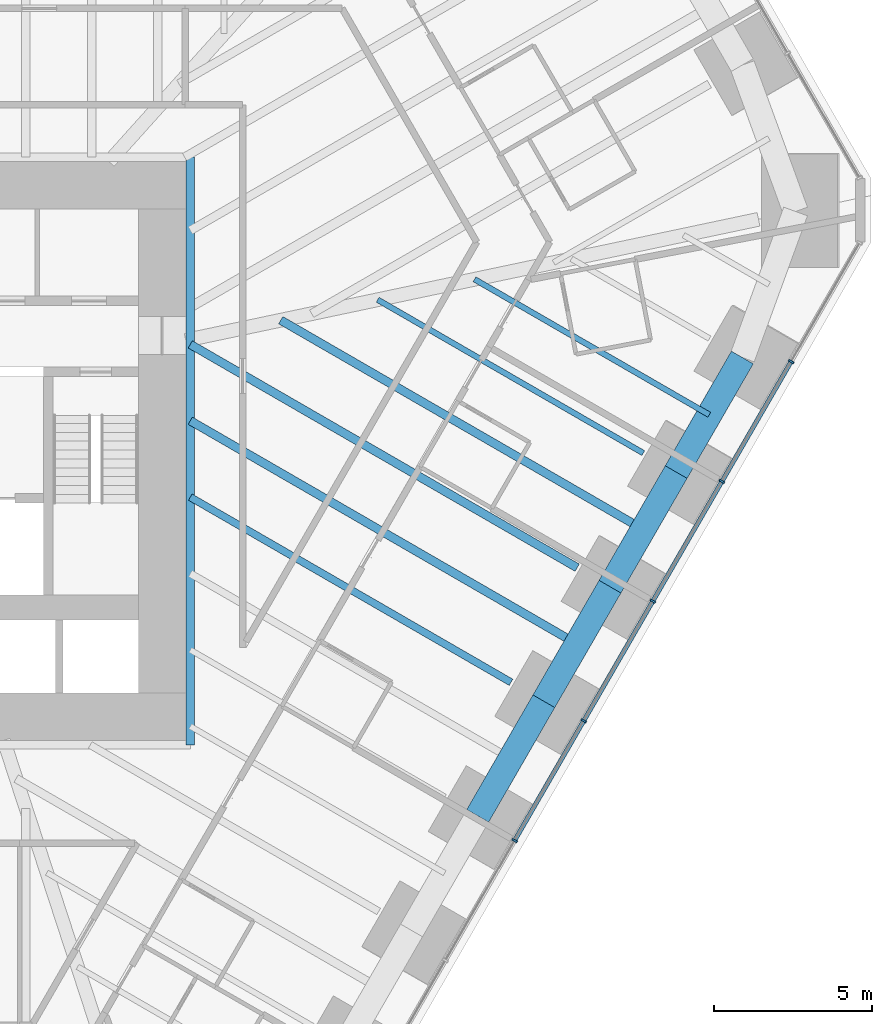
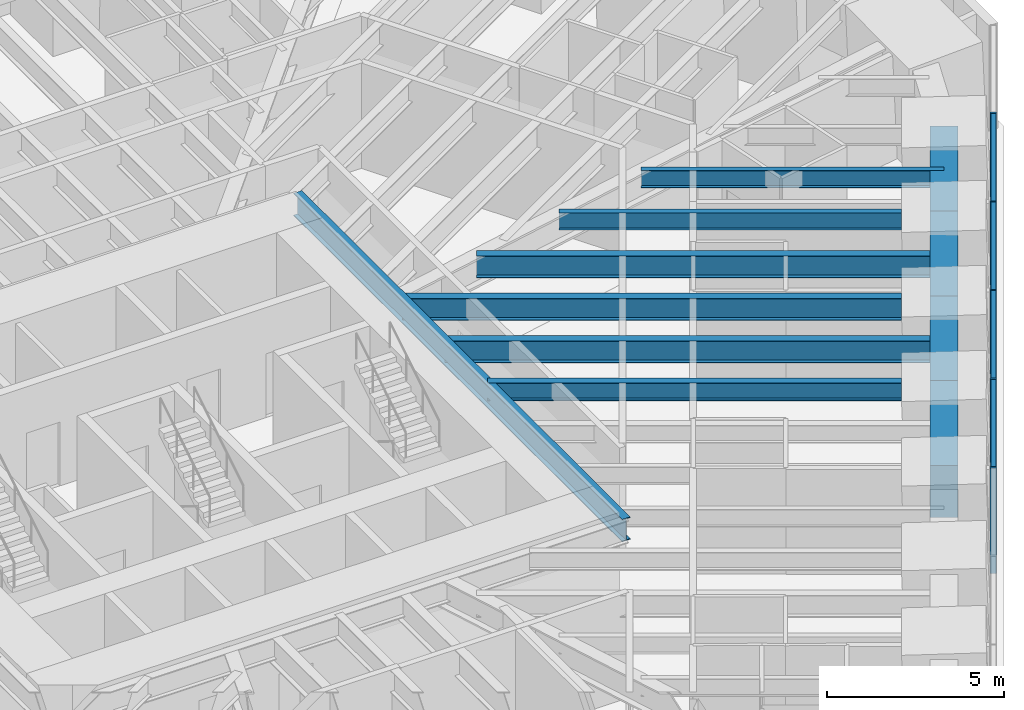
# One storey, part 6 of 17: 11 beams, 9 members, 1 element without a shape of its own.
"""IFC4 building model written with IfcOpenShell, lengths in metres."""

from ifc_helpers import new_model, si_unit, direction, frame, origin, origin_2d, place, context, subcontext, project, spatial, rectangle, i_section, extrude, material, material_profile, profile_set, type_object, element, aggregate, save


model = new_model("IFC4")

# Units and contexts
model_context = context("Model", 3, precision=1e-05, world=origin(), true_north=direction((0.0, 1.0)))
body_context = subcontext(model_context, "Body", "Model", "MODEL_VIEW")
ifc_project = project(units=[si_unit("LENGTHUNIT", "METRE"), si_unit("AREAUNIT", "SQUARE_METRE"), si_unit("VOLUMEUNIT", "CUBIC_METRE"), si_unit("PLANEANGLEUNIT", "RADIAN"), si_unit("MASSUNIT", "GRAM", prefix="KILO")], contexts=[model_context])

# Site, building, storey
site_placement = place(None, origin())
site = spatial("IfcSite", under=ifc_project, at=site_placement, CompositionType="ELEMENT")
building_placement = place(site_placement, origin())
building = spatial("IfcBuilding", under=site, at=building_placement, Name="Sandreach Pilgrim Tower", CompositionType="ELEMENT")
storey_placement = place(building_placement, frame((0.0, 0.0, 57.199951171875)))
storey = spatial("IfcBuildingStorey", under=building, at=storey_placement, Name="L13", CompositionType="ELEMENT", Elevation=57.199951171875)

# Curtain wall, members
ifc_material_1 = material(Name="Aluminium framed curtain wall", Category="aluminium")
curtain_wall_type = type_object("IfcCurtainWallType", Name="Hostel tower curtain wall", PredefinedType="NOTDEFINED", material=ifc_material_1)
curtain_wall_placement = place(storey_placement, origin())
curtain_wall = element("IfcCurtainWall", 1, at=curtain_wall_placement, inside=storey, type_object=curtain_wall_type, Name="CW-1 L13 SE", PredefinedType="NOTDEFINED")
ifc_material_2 = material(Name="Aluminium extrusion", Category="aluminium")
ifc_material_profile_1 = material_profile(ifc_material_2, rectangle(XDim=0.06494140625, YDim=0.179931640625, at=origin_2d()), Name="CW-1M 65X180")
ifc_profile_set_1 = profile_set([ifc_material_profile_1], Name="Aluminium extrusion")
member_type_1 = type_object("IfcMemberType", Name="CW-1 mullion", PredefinedType="MULLION", material=ifc_profile_set_1)
member_1_placement = place(storey_placement, frame((28.390380859375, 1.2763671875, 0.0), z_axis=(0.0, 0.0, 1.0), x_axis=(-0.5, -0.866025403784, 0.0)))
member_1 = element("IfcMember", 2, at=member_1_placement, type_object=member_type_1, Name="CW-1 mullion 2", PredefinedType="MULLION", context=body_context, shape_type="SweptSolid", body=[
    extrude(rectangle(XDim=0.06494140625, YDim=0.179931640625, at=origin_2d()), origin(), (0.0, 0.0, 1.0), 3.64013671875),
])
member_2_placement = place(storey_placement, frame((26.20458984375, -2.509521484375, 0.0), z_axis=(0.0, 0.0, 1.0), x_axis=(-0.5, -0.866025403784, 0.0)))
member_2 = element("IfcMember", 3, at=member_2_placement, type_object=member_type_1, Name="CW-1 mullion 3", PredefinedType="MULLION", context=body_context, shape_type="SweptSolid", body=[
    extrude(rectangle(XDim=0.06494140625, YDim=0.179931640625, at=origin_2d()), origin(), (0.0, 0.0, 1.0), 3.64013671875),
])
member_3_placement = place(storey_placement, frame((24.018798828125, -6.29541015625, 0.0), z_axis=(0.0, 0.0, 1.0), x_axis=(-0.5, -0.866025403784, 0.0)))
member_3 = element("IfcMember", 4, at=member_3_placement, type_object=member_type_1, Name="CW-1 mullion 4", PredefinedType="MULLION", context=body_context, shape_type="SweptSolid", body=[
    extrude(rectangle(XDim=0.06494140625, YDim=0.179931640625, at=origin_2d()), origin(), (0.0, 0.0, 1.0), 3.64013671875),
])
member_4_placement = place(storey_placement, frame((21.8330078125, -10.081298828125, 0.0), z_axis=(0.0, 0.0, 1.0), x_axis=(-0.5, -0.866025403784, 0.0)))
member_4 = element("IfcMember", 5, at=member_4_placement, type_object=member_type_1, Name="CW-1 mullion 5", PredefinedType="MULLION", context=body_context, shape_type="SweptSolid", body=[
    extrude(rectangle(XDim=0.06494140625, YDim=0.179931640625, at=origin_2d()), origin(), (0.0, 0.0, 1.0), 3.64013671875),
])
member_5_placement = place(storey_placement, frame((19.647216796875, -13.8671875, 0.0), z_axis=(0.0, 0.0, 1.0), x_axis=(-0.5, -0.866025403784, 0.0)))
member_5 = element("IfcMember", 6, at=member_5_placement, type_object=member_type_1, Name="CW-1 mullion 6", PredefinedType="MULLION", context=body_context, shape_type="SweptSolid", body=[
    extrude(rectangle(XDim=0.06494140625, YDim=0.179931640625, at=origin_2d()), origin(), (0.0, 0.0, 1.0), 3.64013671875),
])
ifc_material_3 = material(Name="Aluminium extrusion", Category="aluminium")
ifc_material_profile_2 = material_profile(ifc_material_3, rectangle(XDim=0.139892578125, YDim=0.070068359375, at=origin_2d()), Name="CW-1T 140X70")
ifc_profile_set_2 = profile_set([ifc_material_profile_2], Name="Aluminium extrusion")
member_type_2 = type_object("IfcMemberType", Name="CW-1 transom", PredefinedType="USERDEFINED", material=ifc_profile_set_2)
member_6_placement = place(storey_placement, frame((28.374267578125, 1.248046875, 3.60498046875), z_axis=(-0.500016891966, -0.866015650984, 0.0), x_axis=(0.866015650984, -0.500016891966, 0.0)))
member_6 = element("IfcMember", 7, at=member_6_placement, type_object=member_type_2, Name="CW-1 head transom 2", ObjectType="TRANSOM", PredefinedType="USERDEFINED", context=body_context, shape_type="SweptSolid", body=[
    extrude(rectangle(XDim=0.139892578125, YDim=0.070068359375, at=origin_2d()), origin(), (0.0, 0.0, 1.0), 4.306396484375),
])
member_7_placement = place(storey_placement, frame((26.1884765625, -2.537841796875, 3.60498046875), z_axis=(-0.500016891966, -0.866015650984, 0.0), x_axis=(0.866015650984, -0.500016891966, 0.0)))
member_7 = element("IfcMember", 8, at=member_7_placement, type_object=member_type_2, Name="CW-1 head transom 3", ObjectType="TRANSOM", PredefinedType="USERDEFINED", context=body_context, shape_type="SweptSolid", body=[
    extrude(rectangle(XDim=0.139892578125, YDim=0.070068359375, at=origin_2d()), origin(), (0.0, 0.0, 1.0), 4.306396484375),
])
member_8_placement = place(storey_placement, frame((24.002685546875, -6.32373046875, 3.60498046875), z_axis=(-0.500016891966, -0.866015650984, 0.0), x_axis=(0.866015650984, -0.500016891966, 0.0)))
member_8 = element("IfcMember", 9, at=member_8_placement, type_object=member_type_2, Name="CW-1 head transom 4", ObjectType="TRANSOM", PredefinedType="USERDEFINED", context=body_context, shape_type="SweptSolid", body=[
    extrude(rectangle(XDim=0.139892578125, YDim=0.070068359375, at=origin_2d()), origin(), (0.0, 0.0, 1.0), 4.306396484375),
])
member_9_placement = place(storey_placement, frame((21.81689453125, -10.109619140625, 3.60498046875), z_axis=(-0.500016891966, -0.866015650984, 0.0), x_axis=(0.866015650984, -0.500016891966, 0.0)))
member_9 = element("IfcMember", 10, at=member_9_placement, type_object=member_type_2, Name="CW-1 head transom 5", ObjectType="TRANSOM", PredefinedType="USERDEFINED", context=body_context, shape_type="SweptSolid", body=[
    extrude(rectangle(XDim=0.139892578125, YDim=0.070068359375, at=origin_2d()), origin(), (0.0, 0.0, 1.0), 4.306396484375),
])
aggregate(curtain_wall, [member_1, member_2, member_3, member_4, member_5, member_6, member_7, member_8, member_9])

# Beams
ifc_material_4 = material(Name="Steel ASTM A992 Grade 50", Category="steel")
ifc_material_profile_3 = material_profile(ifc_material_4, i_section(OverallWidth=0.2666015625, OverallDepth=0.77978515625, WebThickness=0.0166015625, FlangeThickness=0.030029296875, at=origin_2d()), Name="W30X148")
ifc_profile_set_3 = profile_set([ifc_material_profile_3], Name="Steel ASTM A992 Grade 50")
beam_type_1 = type_object("IfcBeamType", Name="Core edge beam W30X148", PredefinedType="BEAM", material=ifc_profile_set_3)
beam_1_placement = place(storey_placement, frame((9.393310546875, 7.743408203125, 3.250244140625), z_axis=(0.0, -1.0, 0.0), x_axis=(1.0, 0.0, 0.0)))
element("IfcBeam", 11, at=beam_1_placement, inside=storey, type_object=beam_type_1, Name="BM L13 CEE", PredefinedType="BEAM", context=body_context, shape_type="SweptSolid", body=[
    extrude(i_section(OverallWidth=0.2666015625, OverallDepth=0.77978515625, WebThickness=0.0166015625, FlangeThickness=0.030029296875, at=origin_2d()), origin(), (0.0, 0.0, 1.0), 18.586669921875),
])
ifc_material_5 = material(Name="Steel ASTM A992 Grade 50", Category="steel")
ifc_material_profile_4 = material_profile(ifc_material_5, i_section(OverallWidth=0.1787109375, OverallDepth=0.60205078125, WebThickness=0.010986328125, FlangeThickness=0.014892578125, at=origin_2d()), Name="W24X62")
ifc_profile_set_4 = profile_set([ifc_material_profile_4], Name="Steel ASTM A992 Grade 50")
beam_type_2 = type_object("IfcBeamType", Name="Floor beam W24X62", PredefinedType="BEAM", material=ifc_profile_set_4)
beam_2_placement = place(storey_placement, frame((23.718994140625, -1.615966796875, 3.339111328125), z_axis=(-0.866025898704, 0.499999142773, 0.0), x_axis=(-0.499999142773, -0.866025898704, 0.0)))
element("IfcBeam", 12, at=beam_2_placement, inside=storey, type_object=beam_type_2, Name="BM L13 F15", PredefinedType="BEAM", context=body_context, shape_type="SweptSolid", body=[
    extrude(i_section(OverallWidth=0.1787109375, OverallDepth=0.60205078125, WebThickness=0.010986328125, FlangeThickness=0.014892578125, at=origin_2d()), origin(), (0.0, 0.0, 1.0), 9.7001953125),
])
beam_3_placement = place(storey_placement, frame((25.80419921875, -0.404052734375, 3.339111328125), z_axis=(-0.866032840154, 0.49998711961, 0.0), x_axis=(-0.49998711961, -0.866032840154, 0.0)))
element("IfcBeam", 13, at=beam_3_placement, inside=storey, type_object=beam_type_2, Name="BM L13 FM14", PredefinedType="BEAM", context=body_context, shape_type="SweptSolid", body=[
    extrude(i_section(OverallWidth=0.1787109375, OverallDepth=0.60205078125, WebThickness=0.010986328125, FlangeThickness=0.014892578125, at=origin_2d()), origin(), (0.0, 0.0, 1.0), 8.570556640625),
])
ifc_material_6 = material(Name="Steel ASTM A992 Grade 50", Category="steel")
ifc_material_profile_5 = material_profile(ifc_material_6, i_section(OverallWidth=0.23046875, OverallDepth=0.6171875, WebThickness=0.01318359375, FlangeThickness=0.022216796875, at=origin_2d()), Name="W24X94")
ifc_profile_set_5 = profile_set([ifc_material_profile_5], Name="Steel ASTM A992 Grade 50")
beam_type_3 = type_object("IfcBeamType", Name="Floor beam W24X94", PredefinedType="BEAM", material=ifc_profile_set_5)
beam_4_placement = place(storey_placement, frame((19.534912109375, -8.86279296875, 3.33154296875), z_axis=(-0.866026578996, 0.499997964469, 0.0), x_axis=(-0.499997964469, -0.866026578996, 0.0)))
element("IfcBeam", 14, at=beam_4_placement, inside=storey, type_object=beam_type_3, Name="BM L13 F17", PredefinedType="BEAM", context=body_context, shape_type="SweptSolid", body=[
    extrude(i_section(OverallWidth=0.23046875, OverallDepth=0.6171875, WebThickness=0.01318359375, FlangeThickness=0.022216796875, at=origin_2d()), origin(), (0.0, 0.0, 1.0), 11.71044921875),
])
ifc_material_7 = material(Name="Steel ASTM A992 Grade 50", Category="steel")
ifc_material_profile_6 = material_profile(ifc_material_7, i_section(OverallWidth=0.2666015625, OverallDepth=0.761962890625, WebThickness=0.014404296875, FlangeThickness=0.021484375, at=origin_2d()), Name="W30X116")
ifc_profile_set_6 = profile_set([ifc_material_profile_6], Name="Steel ASTM A992 Grade 50")
beam_type_4 = type_object("IfcBeamType", Name="Floor beam W30X116", PredefinedType="BEAM", material=ifc_profile_set_6)
beam_5_placement = place(storey_placement, frame((21.626953125, -5.2392578125, 3.259033203125), z_axis=(-0.866028731315, 0.499994236503, 0.0), x_axis=(-0.499994236503, -0.866028731315, 0.0)))
element("IfcBeam", 15, at=beam_5_placement, inside=storey, type_object=beam_type_4, Name="BM L13 F16", PredefinedType="BEAM", context=body_context, shape_type="SweptSolid", body=[
    extrude(i_section(OverallWidth=0.2666015625, OverallDepth=0.761962890625, WebThickness=0.014404296875, FlangeThickness=0.021484375, at=origin_2d()), origin(), (0.0, 0.0, 1.0), 14.126220703125),
])
beam_6_placement = place(storey_placement, frame((23.712158203125, -4.027587890625, 3.259033203125), z_axis=(-0.866025788398, 0.49999933383, 0.0), x_axis=(-0.49999933383, -0.866025788398, 0.0)))
element("IfcBeam", 16, at=beam_6_placement, inside=storey, type_object=beam_type_4, Name="BM L13 FM15", PredefinedType="BEAM", context=body_context, shape_type="SweptSolid", body=[
    extrude(i_section(OverallWidth=0.2666015625, OverallDepth=0.761962890625, WebThickness=0.014404296875, FlangeThickness=0.021484375, at=origin_2d()), origin(), (0.0, 0.0, 1.0), 13.22998046875),
])
beam_7_placement = place(storey_placement, frame((21.6201171875, -7.651123046875, 3.259033203125), z_axis=(-0.866027491634, 0.499996383721, 0.0), x_axis=(-0.499996383721, -0.866027491634, 0.0)))
element("IfcBeam", 17, at=beam_7_placement, inside=storey, type_object=beam_type_4, Name="BM L13 FM16", PredefinedType="BEAM", context=body_context, shape_type="SweptSolid", body=[
    extrude(i_section(OverallWidth=0.2666015625, OverallDepth=0.761962890625, WebThickness=0.014404296875, FlangeThickness=0.021484375, at=origin_2d()), origin(), (0.0, 0.0, 1.0), 14.1181640625),
])
ifc_material_8 = material(Name="Concrete 10000 psi", Category="concrete")
ifc_material_profile_7 = material_profile(ifc_material_8, rectangle(XDim=0.800048828125, YDim=1.800048828125, at=origin_2d()), Name="RC800X1800")
ifc_profile_set_7 = profile_set([ifc_material_profile_7], Name="Concrete 10000 psi")
beam_type_5 = type_object("IfcBeamType", Name="Spandrel beam RC800X1800", PredefinedType="SPANDREL", material=ifc_profile_set_7)
beam_8_placement = place(storey_placement, frame((26.85009765625, 1.407470703125, 2.739990234375), z_axis=(-0.500023836355, -0.866011641421, 0.0), x_axis=(0.866011641421, -0.500023836355, 0.0)))
element("IfcBeam", 18, at=beam_8_placement, inside=storey, type_object=beam_type_5, Name="BM L13 SP14", PredefinedType="SPANDREL", context=body_context, shape_type="SweptSolid", body=[
    extrude(rectangle(XDim=0.800048828125, YDim=1.800048828125, at=origin_2d()), origin(), (0.0, 0.0, 1.0), 4.183837890625),
])
for number, where, z_axis, x_axis, name in (
    (19, (24.758056640625, -2.2158203125, 2.739990234375), (-0.499998569178, -0.866026229868, 0.0), (0.866026229868, -0.499998569178, 0.0), "BM L13 SP15"),
    (20, (22.666015625, -5.83935546875, 2.739990234375), (-0.499998569178, -0.866026229868, 0.0), (0.866026229868, -0.499998569178, 0.0), "BM L13 SP16"),
):
    element("IfcBeam", number, at=place(storey_placement, frame(where, z_axis=z_axis, x_axis=x_axis)), inside=storey, type_object=beam_type_5, Name=name, PredefinedType="SPANDREL", context=body_context, shape_type="SweptSolid", body=[
        extrude(rectangle(XDim=0.800048828125, YDim=1.800048828125, at=origin_2d()), origin(), (0.0, 0.0, 1.0), 4.18408203125),
    ])
beam_9_placement = place(storey_placement, frame((20.573974609375, -9.462890625, 2.739990234375), z_axis=(-0.499980071345, -0.866036909293, 0.0), x_axis=(0.866036909293, -0.499980071345, 0.0)))
element("IfcBeam", 21, at=beam_9_placement, inside=storey, type_object=beam_type_5, Name="BM L13 SP17", PredefinedType="SPANDREL", context=body_context, shape_type="SweptSolid", body=[
    extrude(rectangle(XDim=0.800048828125, YDim=1.800048828125, at=origin_2d()), origin(), (0.0, 0.0, 1.0), 4.183837890625),
])

save(model, "model.ifc")
